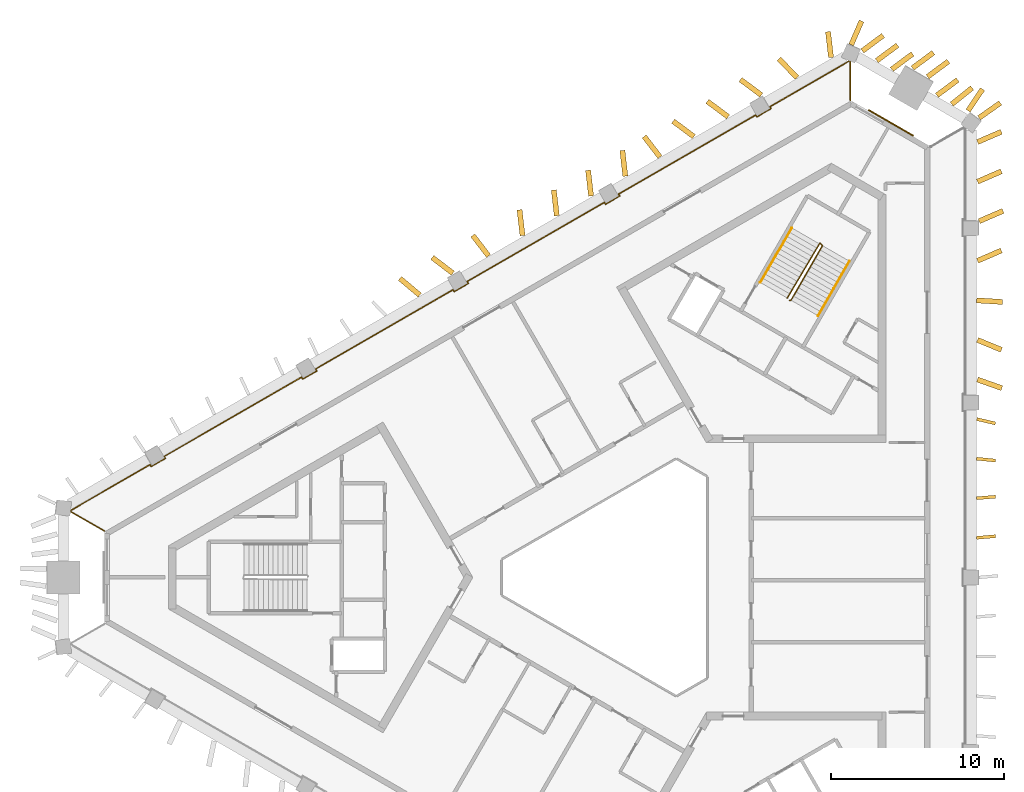
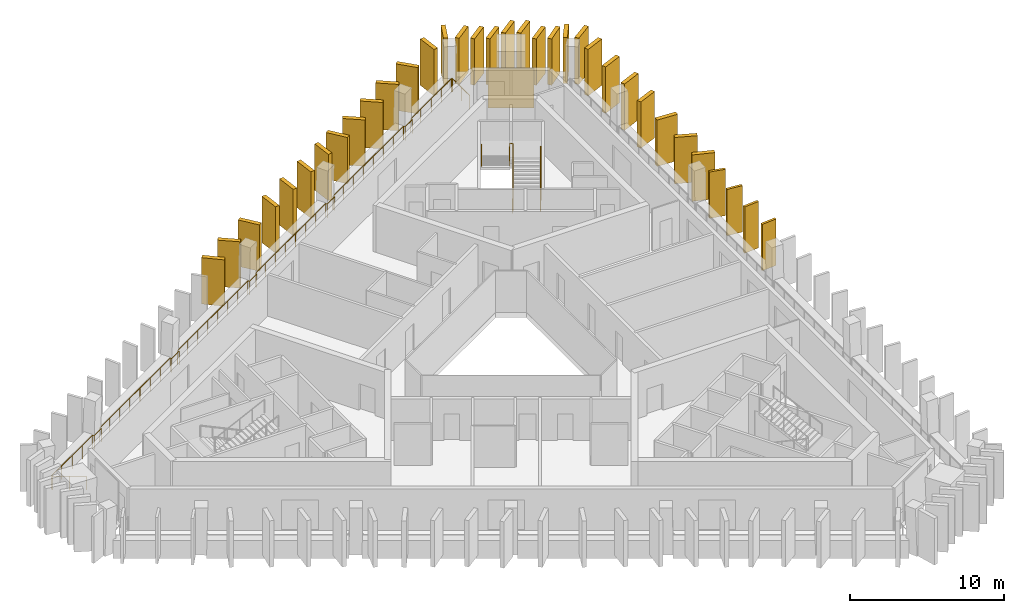
# One storey, part 9 of 9: 34 shading devices, 4 railings, 1 covering.
"""IFC4 building model written with IfcOpenShell, lengths in metres."""

from ifc_helpers import new_model, si_unit, direction, frame, frame_2d, origin, origin_2d, place, context, subcontext, project, spatial, rectangle, circle, extrude, material, layer, layer_set, type_object, element, save


model = new_model("IFC4")

# Units and contexts
model_context = context("Model", 3, precision=1e-05, world=origin(), true_north=direction((0.0, 1.0)))
body_context = subcontext(model_context, "Body", "Model", "MODEL_VIEW")
ifc_project = project(units=[si_unit("LENGTHUNIT", "METRE"), si_unit("AREAUNIT", "SQUARE_METRE"), si_unit("VOLUMEUNIT", "CUBIC_METRE"), si_unit("PLANEANGLEUNIT", "RADIAN"), si_unit("MASSUNIT", "GRAM", prefix="KILO")], contexts=[model_context])

# Site, building, storey
site_placement = place(None, origin())
site = spatial("IfcSite", under=ifc_project, at=site_placement, CompositionType="ELEMENT")
building_placement = place(site_placement, origin())
building = spatial("IfcBuilding", under=site, at=building_placement, Name="Jabali Bay Hotel Tower and Convention Centre", CompositionType="ELEMENT")
storey_placement = place(building_placement, frame((0.0, 0.0, 239.10009765625)))
storey = spatial("IfcBuildingStorey", under=building, at=storey_placement, Name="L59", CompositionType="ELEMENT", Elevation=239.10009765625)

# Railing
ifc_material_1 = material(Name="Glass", Category="glass")
railing_type_1 = type_object("IfcRailingType", Name="Loggia glass guard 1100", PredefinedType="BALUSTRADE", material=ifc_material_1)
railing_1_placement = place(storey_placement, frame((44.695068359375, 82.685791015625, 0.0)))
element("IfcRailing", 1, at=railing_1_placement, inside=storey, type_object=railing_type_1, Name="Loggia glass guard L59", PredefinedType="BALUSTRADE", context=body_context, shape_type="SweptSolid", body=[
    extrude(circle(Radius=0.02490234375, at=origin_2d()), frame((0.0, 0.0, 1.0751953125), z_axis=(-0.86603545466, 0.499982590969, 0.0), x_axis=(-0.495705170593, -0.85862640129, 0.13052619222)), (0.0, 0.0, 1.0), 2.24755859375),
    extrude(circle(Radius=0.02490234375, at=origin_2d()), frame((-1.946533203125, 1.123779296875, 1.0751953125), z_axis=(0.123587346971, 0.992333697739, 0.0), x_axis=(-0.983844145392, 0.122530040085, 0.13052619222)), (0.0, 0.0, 1.0), 0.067138671875),
    extrude(circle(Radius=0.02490234375, at=origin_2d()), frame((-1.938232421875, 1.1904296875, 1.0751953125), z_axis=(0.866024960166, 0.500000768369, 0.0), x_axis=(-0.495723192482, 0.858615996578, 0.13052619222)), (0.0, 0.0, 1.0), 5.2900390625),
    extrude(circle(Radius=0.02490234375, at=origin_2d()), frame((2.64306640625, 3.83544921875, 1.0751953125), z_axis=(0.500342721131, -0.865827443207, 0.0), x_axis=(0.858420169404, 0.496062219791, 0.13052619222)), (0.0, 0.0, 1.0), 0.125),
    extrude(circle(Radius=0.02490234375, at=origin_2d()), frame((2.70556640625, 3.727294921875, 1.0751953125), z_axis=(0.866100000774, 0.49987077196, 0.0), x_axis=(-0.495594308211, 0.858690395203, 0.13052619222)), (0.0, 0.0, 1.0), 0.949951171875),
    extrude(circle(Radius=0.02490234375, at=origin_2d()), frame((3.5283203125, 4.2021484375, 1.0751953125), z_axis=(-0.499497219344, 0.8663154898, 0.0), x_axis=(-0.858904040691, -0.495223951389, 0.13052619222)), (0.0, 0.0, 1.0), 0.125244140625),
    extrude(circle(Radius=0.02490234375, at=origin_2d()), frame((3.4658203125, 4.310546875, 1.0751953125), z_axis=(0.866023583738, 0.5000031524, 0.0), x_axis=(-0.495725556117, 0.858614631926, 0.13052619222)), (0.0, 0.0, 1.0), 9.16015625),
    extrude(circle(Radius=0.02490234375, at=origin_2d()), frame((11.398681640625, 8.890625, 1.0751953125), z_axis=(0.499497219344, -0.8663154898, 0.0), x_axis=(0.858904040691, 0.495223951389, 0.13052619222)), (0.0, 0.0, 1.0), 0.125244140625),
    extrude(circle(Radius=0.02490234375, at=origin_2d()), frame((11.461181640625, 8.7822265625, 1.0751953125), z_axis=(0.865988727248, 0.500063520245, 0.0), x_axis=(-0.495785407507, 0.858580073638, 0.13052619222)), (0.0, 0.0, 1.0), 0.9501953125),
    extrude(circle(Radius=0.02490234375, at=origin_2d()), frame((12.283935546875, 9.25732421875, 1.0751953125), z_axis=(-0.500342721131, 0.865827443207, 0.0), x_axis=(-0.858420169404, -0.496062219791, 0.13052619222)), (0.0, 0.0, 1.0), 0.125),
    extrude(circle(Radius=0.02490234375, at=origin_2d()), frame((12.221435546875, 9.365478515625, 1.0751953125), z_axis=(0.866023583738, 0.5000031524, 0.0), x_axis=(-0.495725556117, 0.858614631926, 0.13052619222)), (0.0, 0.0, 1.0), 9.16015625),
    extrude(circle(Radius=0.02490234375, at=origin_2d()), frame((20.154296875, 13.945556640625, 1.0751953125), z_axis=(0.500342721131, -0.865827443207, 0.0), x_axis=(0.858420169404, 0.496062219791, 0.13052619222)), (0.0, 0.0, 1.0), 0.125),
    extrude(circle(Radius=0.02490234375, at=origin_2d()), frame((20.216796875, 13.83740234375, 1.0751953125), z_axis=(0.866100000774, 0.49987077196, 0.0), x_axis=(-0.495594308211, 0.858690395203, 0.13052619222)), (0.0, 0.0, 1.0), 0.949951171875),
    extrude(circle(Radius=0.02490234375, at=origin_2d()), frame((21.03955078125, 14.312255859375, 1.0751953125), z_axis=(-0.499497219344, 0.8663154898, 0.0), x_axis=(-0.858904040691, -0.495223951389, 0.13052619222)), (0.0, 0.0, 1.0), 0.125244140625),
    extrude(circle(Radius=0.02490234375, at=origin_2d()), frame((20.97705078125, 14.420654296875, 1.0751953125), z_axis=(0.866023583738, 0.5000031524, 0.0), x_axis=(-0.495725556117, 0.858614631926, 0.13052619222)), (0.0, 0.0, 1.0), 9.16015625),
    extrude(circle(Radius=0.02490234375, at=origin_2d()), frame((28.909912109375, 19.000732421875, 1.0751953125), z_axis=(0.499497219344, -0.8663154898, 0.0), x_axis=(0.858904040691, 0.495223951389, 0.13052619222)), (0.0, 0.0, 1.0), 0.125244140625),
    extrude(circle(Radius=0.02490234375, at=origin_2d()), frame((28.972412109375, 18.892333984375, 1.0751953125), z_axis=(0.865988727248, 0.500063520245, 0.0), x_axis=(-0.495785407507, 0.858580073638, 0.13052619222)), (0.0, 0.0, 1.0), 0.9501953125),
    extrude(circle(Radius=0.02490234375, at=origin_2d()), frame((29.795166015625, 19.367431640625, 1.0751953125), z_axis=(-0.500342721131, 0.865827443207, 0.0), x_axis=(-0.858420169404, -0.496062219791, 0.13052619222)), (0.0, 0.0, 1.0), 0.125),
    extrude(circle(Radius=0.02490234375, at=origin_2d()), frame((29.732666015625, 19.4755859375, 1.0751953125), z_axis=(0.866023583738, 0.5000031524, 0.0), x_axis=(-0.495725556117, 0.858614631926, 0.13052619222)), (0.0, 0.0, 1.0), 9.16015625),
    extrude(circle(Radius=0.02490234375, at=origin_2d()), frame((37.66552734375, 24.0556640625, 1.0751953125), z_axis=(0.500342721131, -0.865827443207, 0.0), x_axis=(0.858420169404, 0.496062219791, 0.13052619222)), (0.0, 0.0, 1.0), 0.125),
    extrude(circle(Radius=0.02490234375, at=origin_2d()), frame((37.72802734375, 23.947509765625, 1.0751953125), z_axis=(0.866100000774, 0.49987077196, 0.0), x_axis=(-0.495594308211, 0.858690395203, 0.13052619222)), (0.0, 0.0, 1.0), 0.949951171875),
    extrude(circle(Radius=0.02490234375, at=origin_2d()), frame((38.55078125, 24.42236328125, 1.0751953125), z_axis=(-0.499497219344, 0.8663154898, 0.0), x_axis=(-0.858904040691, -0.495223951389, 0.13052619222)), (0.0, 0.0, 1.0), 0.125244140625),
    extrude(circle(Radius=0.02490234375, at=origin_2d()), frame((38.48828125, 24.53076171875, 1.0751953125), z_axis=(0.866036497279, 0.499980785011, 0.0), x_axis=(-0.495703380085, 0.85862743499, 0.13052619222)), (0.0, 0.0, 1.0), 5.290283203125),
    extrude(circle(Radius=0.02490234375, at=origin_2d()), frame((43.06982421875, 27.17578125, 1.0751953125), z_axis=(0.920462353345, -0.390831237333, 0.0), x_axis=(0.387487621918, 0.912587670312, 0.13052619222)), (0.0, 0.0, 1.0), 0.06689453125),
    extrude(circle(Radius=0.02490234375, at=origin_2d()), frame((43.13134765625, 27.149658203125, 1.0751953125), z_axis=(0.0, -1.0, 0.0), x_axis=(0.991444861374, 0.0, 0.13052619222)), (0.0, 0.0, 1.0), 2.24755859375),
    extrude(circle(Radius=0.02001953125, at=origin_2d()), origin(), (0.0, 0.0, 1.0), 1.050048828125),
    extrude(circle(Radius=0.02001953125, at=origin_2d()), frame((-0.97314453125, 0.56201171875, 0.0)), (0.0, 0.0, 1.0), 1.050048828125),
    extrude(circle(Radius=0.02001953125, at=origin_2d()), frame((-1.946533203125, 1.123779296875, 0.0)), (0.0, 0.0, 1.0), 1.050048828125),
    extrude(circle(Radius=0.02001953125, at=origin_2d()), frame((-1.938232421875, 1.1904296875, 0.0)), (0.0, 0.0, 1.0), 1.050048828125),
    extrude(circle(Radius=0.02001953125, at=origin_2d()), frame((-0.79296875, 1.8515625, 0.0)), (0.0, 0.0, 1.0), 1.050048828125),
    extrude(circle(Radius=0.02001953125, at=origin_2d()), frame((0.3525390625, 2.512939453125, 0.0)), (0.0, 0.0, 1.0), 1.050048828125),
    extrude(circle(Radius=0.02001953125, at=origin_2d()), frame((1.497802734375, 3.17431640625, 0.0)), (0.0, 0.0, 1.0), 1.050048828125),
    extrude(circle(Radius=0.02001953125, at=origin_2d()), frame((2.64306640625, 3.83544921875, 0.0)), (0.0, 0.0, 1.0), 1.050048828125),
    extrude(circle(Radius=0.02001953125, at=origin_2d()), frame((2.70556640625, 3.727294921875, 0.0)), (0.0, 0.0, 1.0), 1.050048828125),
    extrude(circle(Radius=0.02001953125, at=origin_2d()), frame((3.5283203125, 4.2021484375, 0.0)), (0.0, 0.0, 1.0), 1.050048828125),
    extrude(circle(Radius=0.02001953125, at=origin_2d()), frame((3.4658203125, 4.310546875, 0.0)), (0.0, 0.0, 1.0), 1.050048828125),
    extrude(circle(Radius=0.02001953125, at=origin_2d()), frame((4.59912109375, 4.96484375, 0.0)), (0.0, 0.0, 1.0), 1.050048828125),
    extrude(circle(Radius=0.02001953125, at=origin_2d()), frame((5.732421875, 5.619140625, 0.0)), (0.0, 0.0, 1.0), 1.050048828125),
    extrude(circle(Radius=0.02001953125, at=origin_2d()), frame((6.86572265625, 6.2734375, 0.0)), (0.0, 0.0, 1.0), 1.050048828125),
    extrude(circle(Radius=0.02001953125, at=origin_2d()), frame((7.998779296875, 6.927734375, 0.0)), (0.0, 0.0, 1.0), 1.050048828125),
    extrude(circle(Radius=0.02001953125, at=origin_2d()), frame((9.132080078125, 7.58203125, 0.0)), (0.0, 0.0, 1.0), 1.050048828125),
    extrude(circle(Radius=0.02001953125, at=origin_2d()), frame((10.265380859375, 8.236328125, 0.0)), (0.0, 0.0, 1.0), 1.050048828125),
    extrude(circle(Radius=0.02001953125, at=origin_2d()), frame((11.398681640625, 8.890625, 0.0)), (0.0, 0.0, 1.0), 1.050048828125),
    extrude(circle(Radius=0.02001953125, at=origin_2d()), frame((11.461181640625, 8.7822265625, 0.0)), (0.0, 0.0, 1.0), 1.050048828125),
    extrude(circle(Radius=0.02001953125, at=origin_2d()), frame((12.283935546875, 9.25732421875, 0.0)), (0.0, 0.0, 1.0), 1.050048828125),
    extrude(circle(Radius=0.02001953125, at=origin_2d()), frame((12.221435546875, 9.365478515625, 0.0)), (0.0, 0.0, 1.0), 1.050048828125),
    extrude(circle(Radius=0.02001953125, at=origin_2d()), frame((13.354736328125, 10.019775390625, 0.0)), (0.0, 0.0, 1.0), 1.050048828125),
    extrude(circle(Radius=0.02001953125, at=origin_2d()), frame((14.488037109375, 10.674072265625, 0.0)), (0.0, 0.0, 1.0), 1.050048828125),
    extrude(circle(Radius=0.02001953125, at=origin_2d()), frame((15.621337890625, 11.328369140625, 0.0)), (0.0, 0.0, 1.0), 1.050048828125),
    extrude(circle(Radius=0.02001953125, at=origin_2d()), frame((16.75439453125, 11.982666015625, 0.0)), (0.0, 0.0, 1.0), 1.050048828125),
    extrude(circle(Radius=0.02001953125, at=origin_2d()), frame((17.8876953125, 12.636962890625, 0.0)), (0.0, 0.0, 1.0), 1.050048828125),
    extrude(circle(Radius=0.02001953125, at=origin_2d()), frame((19.02099609375, 13.291259765625, 0.0)), (0.0, 0.0, 1.0), 1.050048828125),
    extrude(circle(Radius=0.02001953125, at=origin_2d()), frame((20.154296875, 13.945556640625, 0.0)), (0.0, 0.0, 1.0), 1.050048828125),
    extrude(circle(Radius=0.02001953125, at=origin_2d()), frame((20.216796875, 13.83740234375, 0.0)), (0.0, 0.0, 1.0), 1.050048828125),
    extrude(circle(Radius=0.02001953125, at=origin_2d()), frame((21.03955078125, 14.312255859375, 0.0)), (0.0, 0.0, 1.0), 1.050048828125),
    extrude(circle(Radius=0.02001953125, at=origin_2d()), frame((20.97705078125, 14.420654296875, 0.0)), (0.0, 0.0, 1.0), 1.050048828125),
    extrude(circle(Radius=0.02001953125, at=origin_2d()), frame((22.1103515625, 15.074951171875, 0.0)), (0.0, 0.0, 1.0), 1.050048828125),
    extrude(circle(Radius=0.02001953125, at=origin_2d()), frame((23.24365234375, 15.729248046875, 0.0)), (0.0, 0.0, 1.0), 1.050048828125),
    extrude(circle(Radius=0.02001953125, at=origin_2d()), frame((24.376953125, 16.383544921875, 0.0)), (0.0, 0.0, 1.0), 1.050048828125),
    extrude(circle(Radius=0.02001953125, at=origin_2d()), frame((25.510009765625, 17.037841796875, 0.0)), (0.0, 0.0, 1.0), 1.050048828125),
    extrude(circle(Radius=0.02001953125, at=origin_2d()), frame((26.643310546875, 17.692138671875, 0.0)), (0.0, 0.0, 1.0), 1.050048828125),
    extrude(circle(Radius=0.02001953125, at=origin_2d()), frame((27.776611328125, 18.346435546875, 0.0)), (0.0, 0.0, 1.0), 1.050048828125),
    extrude(circle(Radius=0.02001953125, at=origin_2d()), frame((28.909912109375, 19.000732421875, 0.0)), (0.0, 0.0, 1.0), 1.050048828125),
    extrude(circle(Radius=0.02001953125, at=origin_2d()), frame((28.972412109375, 18.892333984375, 0.0)), (0.0, 0.0, 1.0), 1.050048828125),
    extrude(circle(Radius=0.02001953125, at=origin_2d()), frame((29.795166015625, 19.367431640625, 0.0)), (0.0, 0.0, 1.0), 1.050048828125),
    extrude(circle(Radius=0.02001953125, at=origin_2d()), frame((29.732666015625, 19.4755859375, 0.0)), (0.0, 0.0, 1.0), 1.050048828125),
    extrude(circle(Radius=0.02001953125, at=origin_2d()), frame((30.865966796875, 20.1298828125, 0.0)), (0.0, 0.0, 1.0), 1.050048828125),
    extrude(circle(Radius=0.02001953125, at=origin_2d()), frame((31.999267578125, 20.7841796875, 0.0)), (0.0, 0.0, 1.0), 1.050048828125),
    extrude(circle(Radius=0.02001953125, at=origin_2d()), frame((33.132568359375, 21.4384765625, 0.0)), (0.0, 0.0, 1.0), 1.050048828125),
    extrude(circle(Radius=0.02001953125, at=origin_2d()), frame((34.265625, 22.0927734375, 0.0)), (0.0, 0.0, 1.0), 1.050048828125),
    extrude(circle(Radius=0.02001953125, at=origin_2d()), frame((35.39892578125, 22.7470703125, 0.0)), (0.0, 0.0, 1.0), 1.050048828125),
    extrude(circle(Radius=0.02001953125, at=origin_2d()), frame((36.5322265625, 23.4013671875, 0.0)), (0.0, 0.0, 1.0), 1.050048828125),
    extrude(circle(Radius=0.02001953125, at=origin_2d()), frame((37.66552734375, 24.0556640625, 0.0)), (0.0, 0.0, 1.0), 1.050048828125),
    extrude(circle(Radius=0.02001953125, at=origin_2d()), frame((37.72802734375, 23.947509765625, 0.0)), (0.0, 0.0, 1.0), 1.050048828125),
    extrude(circle(Radius=0.02001953125, at=origin_2d()), frame((38.55078125, 24.42236328125, 0.0)), (0.0, 0.0, 1.0), 1.050048828125),
    extrude(circle(Radius=0.02001953125, at=origin_2d()), frame((38.48828125, 24.53076171875, 0.0)), (0.0, 0.0, 1.0), 1.050048828125),
    extrude(circle(Radius=0.02001953125, at=origin_2d()), frame((39.6337890625, 25.19189453125, 0.0)), (0.0, 0.0, 1.0), 1.050048828125),
    extrude(circle(Radius=0.02001953125, at=origin_2d()), frame((40.779052734375, 25.853271484375, 0.0)), (0.0, 0.0, 1.0), 1.050048828125),
    extrude(circle(Radius=0.02001953125, at=origin_2d()), frame((41.92431640625, 26.5146484375, 0.0)), (0.0, 0.0, 1.0), 1.050048828125),
    extrude(circle(Radius=0.02001953125, at=origin_2d()), frame((43.06982421875, 27.17578125, 0.0)), (0.0, 0.0, 1.0), 1.050048828125),
    extrude(circle(Radius=0.02001953125, at=origin_2d()), frame((43.13134765625, 27.149658203125, 0.0)), (0.0, 0.0, 1.0), 1.050048828125),
    extrude(circle(Radius=0.02001953125, at=origin_2d()), frame((43.13134765625, 26.02587890625, 0.0)), (0.0, 0.0, 1.0), 1.050048828125),
    extrude(circle(Radius=0.02001953125, at=origin_2d()), frame((43.13134765625, 24.902099609375, 0.0)), (0.0, 0.0, 1.0), 1.050048828125),
])

# Shading devices
ifc_material_2 = material(Name="Precast concrete C60", Category="concrete")
ifc_layer_1 = layer(ifc_material_2, 0.179931640625)
ifc_layer_set_1 = layer_set([ifc_layer_1], Name="Precast concrete C60")
shading_device_type_1 = type_object("IfcShadingDeviceType", Name="Precast fin 3680 x 1100", PredefinedType="USERDEFINED", material=ifc_layer_set_1)
for number, where, z_axis, x_axis, name in (
    (2, (95.128662109375, 82.288330078125, 0.010009765625), (0.0, 0.0, 1.0), (0.996170316945, 0.087433973018, 0.0), "Fin L59 012"),
    (3, (95.12841796875, 84.57666015625, 0.010009765625), (0.0, 0.0, 1.0), (0.996512002617, 0.083449557457, 0.0), "Fin L59 013"),
):
    element("IfcShadingDevice", number, at=place(storey_placement, frame(where, z_axis=z_axis, x_axis=x_axis)), inside=storey, type_object=shading_device_type_1, Name=name, ObjectType="FIN", PredefinedType="USERDEFINED", context=body_context, shape_type="SweptSolid", body=[
        extrude(rectangle(XDim=1.10009765625, YDim=0.179931640625, at=frame_2d((0.550048828125, 0.0))), origin(), (0.0, 0.0, 1.0), 3.679931640625),
    ])
shading_device_1_placement = place(storey_placement, frame((95.1298828125, 86.865234375, 0.010009765625), z_axis=(0.0, 0.0, 1.0), x_axis=(0.995065718851, -0.099218018364, 0.0)))
element("IfcShadingDevice", 4, at=shading_device_1_placement, inside=storey, type_object=shading_device_type_1, Name="Fin L59 014", ObjectType="FIN", PredefinedType="USERDEFINED", context=body_context, shape_type="SweptSolid", body=[
    extrude(rectangle(XDim=1.099853515625, YDim=0.179931640625, at=frame_2d((0.5498046875, 0.0))), origin(), (0.0, 0.0, 1.0), 3.679931640625),
])
shading_device_2_placement = place(storey_placement, frame((95.141357421875, 89.153564453125, 0.010009765625), z_axis=(0.0, 0.0, 1.0), x_axis=(0.973785525114, -0.227468132006, 0.0)))
element("IfcShadingDevice", 5, at=shading_device_2_placement, inside=storey, type_object=shading_device_type_1, Name="Fin L59 015", ObjectType="FIN", PredefinedType="USERDEFINED", context=body_context, shape_type="SweptSolid", body=[
    extrude(rectangle(XDim=1.10009765625, YDim=0.179931640625, at=frame_2d((0.550048828125, 0.0))), origin(), (0.0, 0.0, 1.0), 3.679931640625),
])
ifc_layer_2 = layer(ifc_material_2, 0.300048828125)
ifc_layer_set_2 = layer_set([ifc_layer_2], Name="Precast concrete C60")
shading_device_type_2 = type_object("IfcShadingDeviceType", Name="Precast fin 3680 x 1500", PredefinedType="USERDEFINED", material=ifc_layer_set_2)
for number, where, z_axis, x_axis, name in (
    (6, (95.1708984375, 91.44189453125, 0.010009765625), (0.0, 0.0, 1.0), (0.942918192457, -0.333024447051, 0.0), "Fin L59 016"),
    (7, (95.177978515625, 93.730224609375, 0.010009765625), (0.0, 0.0, 1.0), (0.924495967494, -0.381191823217, 0.0), "Fin L59 017"),
    (8, (95.130126953125, 96.018798828125, 0.010009765625), (0.0, 0.0, 1.0), (0.998085372722, -0.061851344037, 0.0), "Fin L59 018"),
    (9, (95.180419921875, 98.30712890625, 0.010009765625), (0.0, 0.0, 1.0), (0.918030037163, 0.396510845838, 0.0), "Fin L59 019"),
    (10, (95.274658203125, 100.595458984375, 0.010009765625), (0.0, 0.0, 1.0), (0.917767272696, 0.397118663837, 0.0), "Fin L59 020"),
):
    element("IfcShadingDevice", number, at=place(storey_placement, frame(where, z_axis=z_axis, x_axis=x_axis)), inside=storey, type_object=shading_device_type_2, Name=name, ObjectType="FIN", PredefinedType="USERDEFINED", context=body_context, shape_type="SweptSolid", body=[
        extrude(rectangle(XDim=1.5, YDim=0.300048828125, at=frame_2d((0.75, 0.0))), origin(), (0.0, 0.0, 1.0), 3.679931640625),
    ])
shading_device_3_placement = place(storey_placement, frame((95.180419921875, 102.8837890625, 0.010009765625), z_axis=(0.0, 0.0, 1.0), x_axis=(0.917707948725, 0.397255737336, 0.0)))
element("IfcShadingDevice", 11, at=shading_device_3_placement, inside=storey, type_object=shading_device_type_2, Name="Fin L59 021", ObjectType="FIN", PredefinedType="USERDEFINED", context=body_context, shape_type="SweptSolid", body=[
    extrude(rectangle(XDim=1.500244140625, YDim=0.300048828125, at=frame_2d((0.75, 0.0))), origin(), (0.0, 0.0, 1.0), 3.679931640625),
])
for number, where, z_axis, x_axis, name in (
    (12, (95.180419921875, 105.17236328125, 0.010009765625), (0.0, 0.0, 1.0), (0.917767272696, 0.397118663837, 0.0), "Fin L59 022"),
    (13, (94.635009765625, 106.98486328125, 0.010009765625), (0.0, 0.0, 1.0), (0.556764146518, 0.830670623744, 0.0), "Fin L59 023"),
    (14, (93.695556640625, 107.364501953125, 0.010009765625), (0.0, 0.0, 1.0), (0.779962865738, 0.625825796904, 0.0), "Fin L59 024"),
    (15, (92.8291015625, 107.87060546875, 0.010009765625), (0.0, 0.0, 1.0), (0.802861809091, 0.596165174681, 0.0), "Fin L59 025"),
    (16, (92.29150390625, 108.9462890625, 0.010009765625), (0.0, 0.0, 1.0), (0.802939709728, 0.596060250765, 0.0), "Fin L59 026"),
    (17, (91.42236328125, 109.447998046875, 0.010009765625), (0.0, 0.0, 1.0), (0.802861809091, 0.596165174681, 0.0), "Fin L59 027"),
    (18, (90.22216796875, 109.375732421875, 0.010009765625), (0.0, 0.0, 1.0), (0.802861809091, 0.596165174681, 0.0), "Fin L59 028"),
    (19, (89.35302734375, 109.877685546875, 0.010009765625), (0.0, 0.0, 1.0), (0.802939709728, 0.596060250765, 0.0), "Fin L59 029"),
    (20, (88.51904296875, 110.43994140625, 0.010009765625), (0.0, 0.0, 1.0), (0.802939709728, 0.596060250765, 0.0), "Fin L59 030"),
    (21, (86.70947265625, 110.06298828125, 0.010009765625), (0.0, 0.0, 1.0), (-0.114753848896, 0.993393957181, 0.0), "Fin L59 031"),
    (22, (84.73974609375, 108.89794921875, 0.010009765625), (0.0, 0.0, 1.0), (-0.690808610319, 0.72303766424, 0.0), "Fin L59 032"),
    (23, (82.6796875, 107.88916015625, 0.010009765625), (0.0, 0.0, 1.0), (-0.802861809091, 0.596165174681, 0.0), "Fin L59 033"),
    (24, (80.76416015625, 106.63037109375, 0.010009765625), (0.0, 0.0, 1.0), (-0.802861809091, 0.596165174681, 0.0), "Fin L59 034"),
    (25, (78.782470703125, 105.486083984375, 0.010009765625), (0.0, 0.0, 1.0), (-0.802861809091, 0.596165174681, 0.0), "Fin L59 035"),
    (26, (76.820556640625, 104.307373046875, 0.010009765625), (0.0, 0.0, 1.0), (-0.609514106092, 0.792775223171, 0.0), "Fin L59 036"),
    (27, (74.81884765625, 103.19775390625, 0.010009765625), (0.0, 0.0, 1.0), (-0.114914472364, 0.993375389287, 0.0), "Fin L59 037"),
):
    element("IfcShadingDevice", number, at=place(storey_placement, frame(where, z_axis=z_axis, x_axis=x_axis)), inside=storey, type_object=shading_device_type_2, Name=name, ObjectType="FIN", PredefinedType="USERDEFINED", context=body_context, shape_type="SweptSolid", body=[
        extrude(rectangle(XDim=1.5, YDim=0.300048828125, at=frame_2d((0.75, 0.0))), origin(), (0.0, 0.0, 1.0), 3.679931640625),
    ])
shading_device_4_placement = place(storey_placement, frame((72.8369140625, 102.053466796875, 0.010009765625), z_axis=(0.0, 0.0, 1.0), x_axis=(-0.114735296621, 0.993396100108, 0.0)))
element("IfcShadingDevice", 28, at=shading_device_4_placement, inside=storey, type_object=shading_device_type_2, Name="Fin L59 038", ObjectType="FIN", PredefinedType="USERDEFINED", context=body_context, shape_type="SweptSolid", body=[
    extrude(rectangle(XDim=1.500244140625, YDim=0.300048828125, at=frame_2d((0.75, 0.0))), origin(), (0.0, 0.0, 1.0), 3.679931640625),
])
for number, where, z_axis, x_axis, name in (
    (29, (70.855224609375, 100.909423828125, 0.010009765625), (0.0, 0.0, 1.0), (-0.115075086819, 0.993356796118, 0.0), "Fin L59 039"),
    (30, (68.873291015625, 99.76513671875, 0.010009765625), (0.0, 0.0, 1.0), (-0.115396288642, 0.993319533971, 0.0), "Fin L59 040"),
    (31, (66.91162109375, 98.58642578125, 0.010009765625), (0.0, 0.0, 1.0), (-0.609333161849, 0.792914306764, 0.0), "Fin L59 041"),
    (32, (64.844482421875, 97.58984375, 0.010009765625), (0.0, 0.0, 1.0), (-0.794616478363, 0.607111729679, 0.0), "Fin L59 042"),
    (33, (62.931884765625, 96.32568359375, 0.010009765625), (0.0, 0.0, 1.0), (-0.76787431363, 0.640600529556, 0.0), "Fin L59 043"),
):
    element("IfcShadingDevice", number, at=place(storey_placement, frame(where, z_axis=z_axis, x_axis=x_axis)), inside=storey, type_object=shading_device_type_2, Name=name, ObjectType="FIN", PredefinedType="USERDEFINED", context=body_context, shape_type="SweptSolid", body=[
        extrude(rectangle(XDim=1.5, YDim=0.300048828125, at=frame_2d((0.75, 0.0))), origin(), (0.0, 0.0, 1.0), 3.679931640625),
    ])
shading_device_5_placement = place(storey_placement, frame((95.271484375, 106.572265625, 0.010009765625), z_axis=(0.0, 0.0, 1.0), x_axis=(0.817968121356, 0.575263550423, 0.0)))
element("IfcShadingDevice", 34, at=shading_device_5_placement, inside=storey, type_object=shading_device_type_2, Name="Fin L59 094", ObjectType="FIN", PredefinedType="USERDEFINED", context=body_context, shape_type="SweptSolid", body=[
    extrude(rectangle(XDim=1.499755859375, YDim=0.300048828125, at=frame_2d((0.75, 0.0))), origin(), (0.0, 0.0, 1.0), 3.679931640625),
])
shading_device_6_placement = place(storey_placement, frame((87.87646484375, 110.792724609375, 0.010009765625), z_axis=(0.0, 0.0, 1.0), x_axis=(0.397255737336, 0.917707948725, 0.0)))
element("IfcShadingDevice", 35, at=shading_device_6_placement, inside=storey, type_object=shading_device_type_2, Name="Fin L59 095", ObjectType="FIN", PredefinedType="USERDEFINED", context=body_context, shape_type="SweptSolid", body=[
    extrude(rectangle(XDim=1.500244140625, YDim=0.300048828125, at=frame_2d((0.75, 0.0))), origin(), (0.0, 0.0, 1.0), 3.679931640625),
])

# Covering
ifc_material_3 = material(Name="Precast concrete C40/50", Category="concrete")
ifc_layer_3 = layer(ifc_material_3, 0.080078125)
ifc_layer_set_3 = layer_set([ifc_layer_3], Name="Precast concrete C40/50")
covering_type = type_object("IfcCoveringType", Name="Relief panel 3000 x 3100", PredefinedType="CLADDING", material=ifc_layer_set_3)
covering_placement = place(storey_placement, frame((90.17236328125, 106.279541015625, 0.099853515625), z_axis=(0.0, 0.0, 1.0), x_axis=(0.866025404919, -0.499999998035, 0.0)))
element("IfcCovering", 36, at=covering_placement, inside=storey, type_object=covering_type, Name="Relief panel L59", PredefinedType="CLADDING", context=body_context, shape_type="SweptSolid", body=[
    extrude(rectangle(XDim=3.0, YDim=0.080078125, at=origin_2d()), origin(), (0.0, 0.0, 1.0), 3.10009765625),
])

# Railings
ifc_material_4 = material(Name="Steel Q355B", Category="steel")
railing_type_2 = type_object("IfcRailingType", Name="Stair guard 1100", PredefinedType="GUARDRAIL", material=ifc_material_4)
railing_2_placement = place(storey_placement, frame((84.329833984375, 96.010009765625, 0.0)))
element("IfcRailing", 37, at=railing_2_placement, inside=storey, type_object=railing_type_2, Name="L59 ST2 stair guard 1", PredefinedType="GUARDRAIL", context=body_context, shape_type="SweptSolid", body=[
    extrude(circle(Radius=0.02392578125, at=origin_2d()), frame((0.0, 0.0, 1.076171875), z_axis=(0.456201556387, 0.122196845461, 0.881446578591), x_axis=(-0.258736085224, 0.965948051503, 0.0)), (0.0, 0.0, 1.0), 0.14990234375),
    extrude(circle(Radius=0.02392578125, at=origin_2d()), frame((0.068359375, 0.018310546875, 1.2080078125), z_axis=(0.452190331055, 0.783190014029, 0.426775475427), x_axis=(-0.866018046521, 0.500012742938, 0.0)), (0.0, 0.0, 1.0), 4.02490234375),
    extrude(circle(Radius=0.02392578125, at=origin_2d()), frame((1.888427734375, 3.170654296875, 2.92578125), z_axis=(-0.718850276695, 0.695164929852, 0.0), x_axis=(-0.695164929852, -0.718850276695, 0.0)), (0.0, 0.0, 1.0), 0.2060546875),
    extrude(circle(Radius=0.02392578125, at=origin_2d()), frame((1.740234375, 3.31396484375, 2.92578125), z_axis=(-0.457445338502, -0.768046879266, 0.448160410493), x_axis=(0.859157857954, -0.511710636118, 0.0)), (0.0, 0.0, 1.0), 4.128173828125),
    extrude(circle(Radius=0.02099609375, at=origin_2d()), origin(), (0.0, 0.0, 1.0), 1.052001953125),
    extrude(circle(Radius=0.02099609375, at=origin_2d()), frame((0.068359375, 0.018310546875, 0.132080078125)), (0.0, 0.0, 1.0), 1.052001953125),
    extrude(circle(Radius=0.02099609375, at=origin_2d()), frame((0.5234375, 0.806396484375, 0.5615234375)), (0.0, 0.0, 1.0), 1.052001953125),
    extrude(circle(Radius=0.02099609375, at=origin_2d()), frame((0.978515625, 1.594482421875, 0.990966796875)), (0.0, 0.0, 1.0), 1.052001953125),
    extrude(circle(Radius=0.02099609375, at=origin_2d()), frame((1.433349609375, 2.382568359375, 1.42041015625)), (0.0, 0.0, 1.0), 1.052001953125),
    extrude(circle(Radius=0.02099609375, at=origin_2d()), frame((1.888427734375, 3.170654296875, 1.849853515625)), (0.0, 0.0, 1.0), 1.052001953125),
    extrude(circle(Radius=0.02099609375, at=origin_2d()), frame((1.740234375, 3.31396484375, 1.849853515625)), (0.0, 0.0, 1.0), 1.052001953125),
    extrude(circle(Radius=0.02099609375, at=origin_2d()), frame((1.26806640625, 2.521240234375, 2.3125)), (0.0, 0.0, 1.0), 1.052001953125),
    extrude(circle(Radius=0.02099609375, at=origin_2d()), frame((0.7958984375, 1.728515625, 2.77490234375)), (0.0, 0.0, 1.0), 1.052001953125),
    extrude(circle(Radius=0.02099609375, at=origin_2d()), frame((0.323974609375, 0.93603515625, 3.2373046875)), (0.0, 0.0, 1.0), 1.052001953125),
    extrude(circle(Radius=0.02099609375, at=origin_2d()), frame((-0.148193359375, 0.143310546875, 3.699951171875)), (0.0, 0.0, 1.0), 1.052001953125),
])
railing_type_3 = type_object("IfcRailingType", Name="Stair handrail 900", PredefinedType="HANDRAIL", material=ifc_material_4)
railing_3_placement = place(storey_placement, frame((85.95703125, 95.128173828125, 0.132080078125)))
element("IfcRailing", 38, at=railing_3_placement, inside=storey, type_object=railing_type_3, Name="L59 ST2 stair handrail 1", PredefinedType="HANDRAIL", context=body_context, shape_type="SweptSolid", body=[
    extrude(circle(Radius=0.02392578125, at=origin_2d()), frame((0.0, 0.0, 0.8759765625), z_axis=(0.452190331055, 0.783190014029, 0.426775475427), x_axis=(-0.866018046521, 0.500012742938, 0.0)), (0.0, 0.0, 1.0), 4.02490234375),
    extrude(circle(Radius=0.02099609375, at=origin_2d()), origin(), (0.0, 0.0, 1.0), 0.851806640625),
    extrude(circle(Radius=0.02099609375, at=origin_2d()), frame((0.455078125, 0.7880859375, 0.429443359375)), (0.0, 0.0, 1.0), 0.851806640625),
    extrude(circle(Radius=0.02099609375, at=origin_2d()), frame((0.91015625, 1.576171875, 0.85888671875)), (0.0, 0.0, 1.0), 0.851806640625),
    extrude(circle(Radius=0.02099609375, at=origin_2d()), frame((1.364990234375, 2.3642578125, 1.288330078125)), (0.0, 0.0, 1.0), 0.851806640625),
    extrude(circle(Radius=0.02099609375, at=origin_2d()), frame((1.820068359375, 3.15234375, 1.7177734375)), (0.0, 0.0, 1.0), 0.851806640625),
])
railing_4_placement = place(storey_placement, frame((84.44287109375, 100.20556640625, 1.98193359375)))
element("IfcRailing", 39, at=railing_4_placement, inside=storey, type_object=railing_type_3, Name="L59 ST2 stair handrail 2", PredefinedType="HANDRAIL", context=body_context, shape_type="SweptSolid", body=[
    extrude(circle(Radius=0.02392578125, at=origin_2d()), frame((0.0, 0.0, 0.8759765625), z_axis=(-0.45217862506, -0.783169739339, 0.426825081763), x_axis=(0.866018046521, -0.500012742938, 0.0)), (0.0, 0.0, 1.0), 4.025146484375),
    extrude(circle(Radius=0.02099609375, at=origin_2d()), origin(), (0.0, 0.0, 1.0), 0.851806640625),
    extrude(circle(Radius=0.02099609375, at=origin_2d()), frame((-0.455078125, -0.7880859375, 0.429443359375)), (0.0, 0.0, 1.0), 0.851806640625),
    extrude(circle(Radius=0.02099609375, at=origin_2d()), frame((-0.91015625, -1.576171875, 0.85888671875)), (0.0, 0.0, 1.0), 0.851806640625),
    extrude(circle(Radius=0.02099609375, at=origin_2d()), frame((-1.364990234375, -2.3642578125, 1.28857421875)), (0.0, 0.0, 1.0), 0.851806640625),
    extrude(circle(Radius=0.02099609375, at=origin_2d()), frame((-1.820068359375, -3.15234375, 1.718017578125)), (0.0, 0.0, 1.0), 0.851806640625),
])

save(model, "model.ifc")
